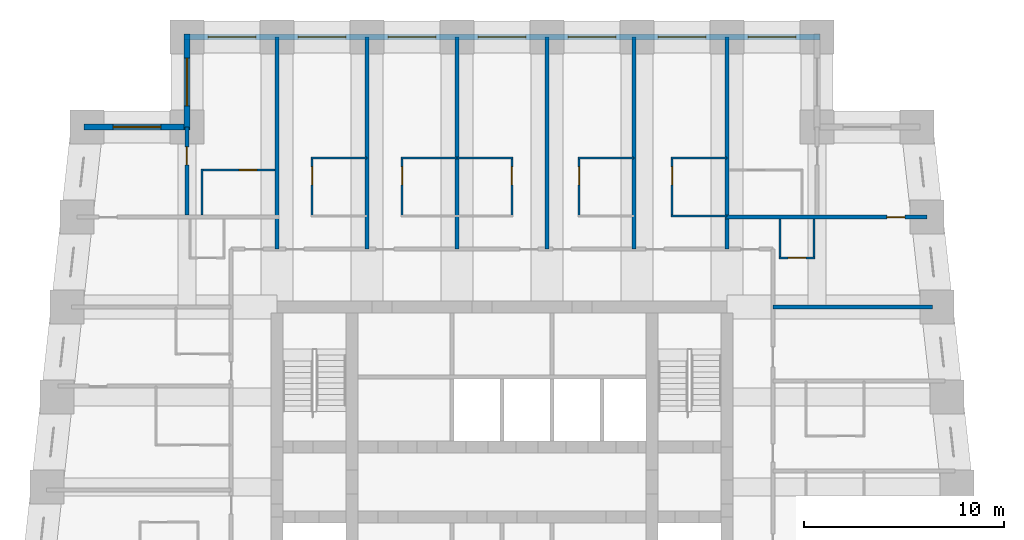
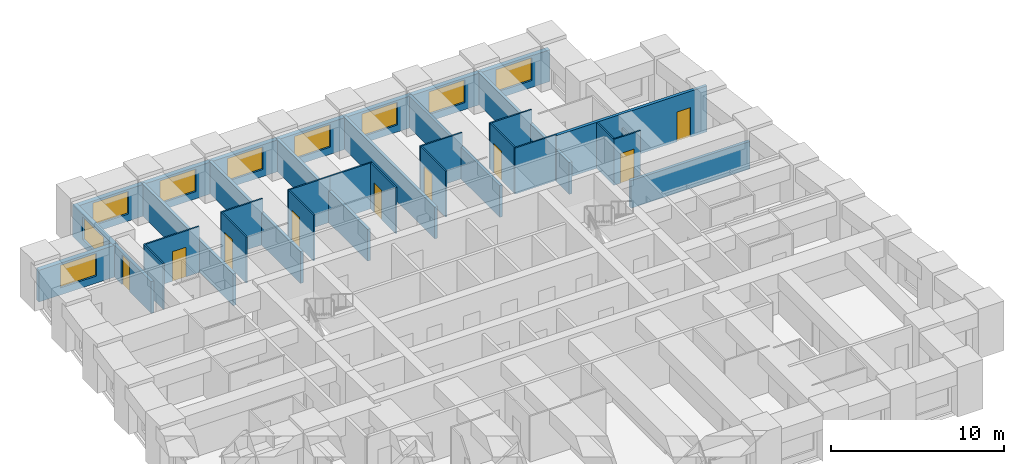
# One storey, part 6 of 8: 28 walls, 9 doors, 9 windows, 18 openings.
"""IFC4 building model written with IfcOpenShell, lengths in metres."""

from ifc_helpers import new_model, si_unit, direction, frame, frame_2d, origin, place, context, subcontext, project, spatial, rectangle, extrude, material, layer, layer_set, type_object, element, fill, save


model = new_model("IFC4")

# Units and contexts
model_context = context("Model", 3, precision=1e-05, world=origin(), true_north=direction((0.0, 1.0)))
body_context = subcontext(model_context, "Body", "Model", "MODEL_VIEW")
ifc_project = project(units=[si_unit("LENGTHUNIT", "METRE"), si_unit("AREAUNIT", "SQUARE_METRE"), si_unit("VOLUMEUNIT", "CUBIC_METRE"), si_unit("PLANEANGLEUNIT", "RADIAN"), si_unit("MASSUNIT", "GRAM", prefix="KILO")], contexts=[model_context])

# Site, building, storey
site_placement = place(None, origin())
site = spatial("IfcSite", under=ifc_project, at=site_placement, CompositionType="ELEMENT")
building_placement = place(site_placement, origin())
building = spatial("IfcBuilding", under=site, at=building_placement, Name="Kilele Tower Hotel", CompositionType="ELEMENT")
storey_placement = place(building_placement, frame((0.0, 0.0, 190.39990234375)))
storey = spatial("IfcBuildingStorey", under=building, at=storey_placement, Name="L49", CompositionType="ELEMENT", Elevation=190.39990234375)

# Wall
ifc_material_1 = material(Name="Moisture-resistant board")
ifc_layer_1 = layer(ifc_material_1, 0.10009765625)
ifc_layer_set_1 = layer_set([ifc_layer_1], Name="Moisture-resistant board")
wall_type_1 = type_object("IfcWallType", Name="Bathroom partition 100", PredefinedType="PLUMBINGWALL", material=ifc_layer_set_1)
wall_1_placement = place(storey_placement, frame((15.199951171875, 34.449951171875, 0.0), z_axis=(0.0, 0.0, 1.0), x_axis=(1.0, 0.0, 0.0)))
element("IfcWall", 1, at=wall_1_placement, inside=storey, type_object=wall_type_1, Name="Bathroom partition 100 L49", PredefinedType="PLUMBINGWALL", context=body_context, shape_type="SweptSolid", body=[
    extrude(rectangle(XDim=2.800048828125, YDim=0.10009765625, at=frame_2d((1.39990234375, 0.0))), origin(), (0.0, 0.0, 1.0), 3.25),
])

# Wall, opening, door
wall_2_placement = place(storey_placement, frame((15.25, 31.5, 0.0), z_axis=(0.0, 0.0, 1.0), x_axis=(0.0, 1.0, 0.0)))
wall_2 = element("IfcWall", 2, at=wall_2_placement, inside=storey, type_object=wall_type_1, Name="Bathroom partition 100 L49", PredefinedType="PLUMBINGWALL", context=body_context, shape_type="SweptSolid", body=[
    extrude(rectangle(XDim=3.0, YDim=0.10009765625, at=frame_2d((1.5, 0.0))), origin(), (0.0, 0.0, 1.0), 3.25),
])
opening_1_placement = place(wall_2_placement, frame((1.60009765625, 0.0, 0.0)))
opening_1 = element("IfcOpeningElement", 3, at=opening_1_placement, cuts=wall_2, Name="Opening D2A", PredefinedType="OPENING", context=body_context, shape_type="SweptSolid", body=[
    extrude(rectangle(XDim=0.89990234375, YDim=2.10009765625, at=frame_2d((0.449951171875, 1.050048828125))), frame((0.0, 0.06005859375, 0.0), z_axis=(0.0, -1.0, 0.0), x_axis=(1.0, 0.0, 0.0)), (0.0, 0.0, 1.0), 0.1201171875),
])
ifc_material_2 = material(Name="Timber door leaf in hardwood frame", Category="wood")
door_type_1 = type_object("IfcDoorType", Name="Bathroom door 900", OperationType="SINGLE_SWING_LEFT", PredefinedType="DOOR", material=ifc_material_2)
door_1_placement = place(opening_1_placement, origin())
door_1 = element("IfcDoor", 4, at=door_1_placement, inside=storey, type_object=door_type_1, Name="Bathroom door 4909B", OperationType="SINGLE_SWING_RIGHT", OverallHeight=2.10009765625, OverallWidth=0.89990234375, PredefinedType="DOOR", context=body_context, shape_type="SweptSolid", body=[
    extrude(rectangle(XDim=0.89990234375, YDim=2.10009765625, at=frame_2d((0.449951171875, 1.050048828125))), frame((0.0, 0.02490234375, 0.0), z_axis=(0.0, -1.0, 0.0), x_axis=(1.0, 0.0, 0.0)), (0.0, 0.0, 1.0), 0.050048828125),
])
fill(opening_1, door_1)

# Wall
wall_3_placement = place(storey_placement, frame((19.699951171875, 34.449951171875, 0.0), z_axis=(0.0, 0.0, 1.0), x_axis=(1.0, 0.0, 0.0)))
element("IfcWall", 5, at=wall_3_placement, inside=storey, type_object=wall_type_1, Name="Bathroom partition 100 L49", PredefinedType="PLUMBINGWALL", context=body_context, shape_type="SweptSolid", body=[
    extrude(rectangle(XDim=2.800048828125, YDim=0.10009765625, at=frame_2d((1.39990234375, 0.0))), origin(), (0.0, 0.0, 1.0), 3.25),
])

# Wall, opening, door
wall_4_placement = place(storey_placement, frame((19.75, 31.5, 0.0), z_axis=(0.0, 0.0, 1.0), x_axis=(0.0, 1.0, 0.0)))
wall_4 = element("IfcWall", 6, at=wall_4_placement, inside=storey, type_object=wall_type_1, Name="Bathroom partition 100 L49", PredefinedType="PLUMBINGWALL", context=body_context, shape_type="SweptSolid", body=[
    extrude(rectangle(XDim=3.0, YDim=0.10009765625, at=frame_2d((1.5, 0.0))), origin(), (0.0, 0.0, 1.0), 3.25),
])
opening_2_placement = place(wall_4_placement, frame((1.60009765625, 0.0, 0.0)))
opening_2 = element("IfcOpeningElement", 7, at=opening_2_placement, cuts=wall_4, Name="Opening D2A", PredefinedType="OPENING", context=body_context, shape_type="SweptSolid", body=[
    extrude(rectangle(XDim=0.89990234375, YDim=2.10009765625, at=frame_2d((0.449951171875, 1.050048828125))), frame((0.0, 0.06005859375, 0.0), z_axis=(0.0, -1.0, 0.0), x_axis=(1.0, 0.0, 0.0)), (0.0, 0.0, 1.0), 0.1201171875),
])
door_2_placement = place(opening_2_placement, origin())
door_2 = element("IfcDoor", 8, at=door_2_placement, inside=storey, type_object=door_type_1, Name="Bathroom door 4910B", OperationType="SINGLE_SWING_RIGHT", OverallHeight=2.10009765625, OverallWidth=0.89990234375, PredefinedType="DOOR", context=body_context, shape_type="SweptSolid", body=[
    extrude(rectangle(XDim=0.89990234375, YDim=2.10009765625, at=frame_2d((0.449951171875, 1.050048828125))), frame((0.0, 0.02490234375, 0.0), z_axis=(0.0, -1.0, 0.0), x_axis=(1.0, 0.0, 0.0)), (0.0, 0.0, 1.0), 0.050048828125),
])
fill(opening_2, door_2)

# Wall
wall_5_placement = place(storey_placement, frame((22.5, 34.449951171875, 0.0), z_axis=(0.0, 0.0, 1.0), x_axis=(1.0, 0.0, 0.0)))
element("IfcWall", 9, at=wall_5_placement, inside=storey, type_object=wall_type_1, Name="Bathroom partition 100 L49", PredefinedType="PLUMBINGWALL", context=body_context, shape_type="SweptSolid", body=[
    extrude(rectangle(XDim=2.800048828125, YDim=0.10009765625, at=frame_2d((1.39990234375, 0.0))), origin(), (0.0, 0.0, 1.0), 3.25),
])

# Wall, opening, door
wall_6_placement = place(storey_placement, frame((25.25, 31.5, 0.0), z_axis=(0.0, 0.0, 1.0), x_axis=(0.0, 1.0, 0.0)))
wall_6 = element("IfcWall", 10, at=wall_6_placement, inside=storey, type_object=wall_type_1, Name="Bathroom partition 100 L49", PredefinedType="PLUMBINGWALL", context=body_context, shape_type="SweptSolid", body=[
    extrude(rectangle(XDim=3.0, YDim=0.10009765625, at=frame_2d((1.5, 0.0))), origin(), (0.0, 0.0, 1.0), 3.25),
])
opening_3_placement = place(wall_6_placement, frame((2.5, 0.0, 0.0), z_axis=(0.0, 0.0, 1.0), x_axis=(-1.0, 0.0, 0.0)))
opening_3 = element("IfcOpeningElement", 11, at=opening_3_placement, cuts=wall_6, Name="Opening D2A", PredefinedType="OPENING", context=body_context, shape_type="SweptSolid", body=[
    extrude(rectangle(XDim=0.89990234375, YDim=2.10009765625, at=frame_2d((0.449951171875, 1.050048828125))), frame((0.0, 0.06005859375, 0.0), z_axis=(0.0, -1.0, 0.0), x_axis=(1.0, 0.0, 0.0)), (0.0, 0.0, 1.0), 0.1201171875),
])
door_3_placement = place(opening_3_placement, origin())
door_3 = element("IfcDoor", 12, at=door_3_placement, inside=storey, type_object=door_type_1, Name="Bathroom door 4911B", OperationType="SINGLE_SWING_LEFT", OverallHeight=2.10009765625, OverallWidth=0.89990234375, PredefinedType="DOOR", context=body_context, shape_type="SweptSolid", body=[
    extrude(rectangle(XDim=0.89990234375, YDim=2.10009765625, at=frame_2d((0.449951171875, 1.050048828125))), frame((0.0, 0.02490234375, 0.0), z_axis=(0.0, -1.0, 0.0), x_axis=(1.0, 0.0, 0.0)), (0.0, 0.0, 1.0), 0.050048828125),
])
fill(opening_3, door_3)

# Wall
wall_7_placement = place(storey_placement, frame((28.550048828125, 34.449951171875, 0.0), z_axis=(0.0, 0.0, 1.0), x_axis=(1.0, 0.0, 0.0)))
element("IfcWall", 13, at=wall_7_placement, inside=storey, type_object=wall_type_1, Name="Bathroom partition 100 L49", PredefinedType="PLUMBINGWALL", context=body_context, shape_type="SweptSolid", body=[
    extrude(rectangle(XDim=2.800048828125, YDim=0.10009765625, at=frame_2d((1.39990234375, 0.0))), origin(), (0.0, 0.0, 1.0), 3.25),
])

# Wall, opening, door
wall_8_placement = place(storey_placement, frame((28.60009765625, 31.5, 0.0), z_axis=(0.0, 0.0, 1.0), x_axis=(0.0, 1.0, 0.0)))
wall_8 = element("IfcWall", 14, at=wall_8_placement, inside=storey, type_object=wall_type_1, Name="Bathroom partition 100 L49", PredefinedType="PLUMBINGWALL", context=body_context, shape_type="SweptSolid", body=[
    extrude(rectangle(XDim=3.0, YDim=0.10009765625, at=frame_2d((1.5, 0.0))), origin(), (0.0, 0.0, 1.0), 3.25),
])
opening_4_placement = place(wall_8_placement, frame((1.60009765625, 0.0, 0.0)))
opening_4 = element("IfcOpeningElement", 15, at=opening_4_placement, cuts=wall_8, Name="Opening D2A", PredefinedType="OPENING", context=body_context, shape_type="SweptSolid", body=[
    extrude(rectangle(XDim=0.89990234375, YDim=2.10009765625, at=frame_2d((0.449951171875, 1.050048828125))), frame((0.0, 0.06005859375, 0.0), z_axis=(0.0, -1.0, 0.0), x_axis=(1.0, 0.0, 0.0)), (0.0, 0.0, 1.0), 0.1201171875),
])
door_4_placement = place(opening_4_placement, origin())
door_4 = element("IfcDoor", 16, at=door_4_placement, inside=storey, type_object=door_type_1, Name="Bathroom door 4912B", OperationType="SINGLE_SWING_RIGHT", OverallHeight=2.10009765625, OverallWidth=0.89990234375, PredefinedType="DOOR", context=body_context, shape_type="SweptSolid", body=[
    extrude(rectangle(XDim=0.89990234375, YDim=2.10009765625, at=frame_2d((0.449951171875, 1.050048828125))), frame((0.0, 0.02490234375, 0.0), z_axis=(0.0, -1.0, 0.0), x_axis=(1.0, 0.0, 0.0)), (0.0, 0.0, 1.0), 0.050048828125),
])
fill(opening_4, door_4)

# Walls
for number, where, z_axis, x_axis, name in (
    (17, (33.199951171875, 31.550048828125, 0.0), (0.0, 0.0, 1.0), (1.0, 0.0, 0.0), "Bathroom partition 100 L49"),
    (18, (33.199951171875, 34.449951171875, 0.0), (0.0, 0.0, 1.0), (1.0, 0.0, 0.0), "Bathroom partition 100 L49"),
):
    element("IfcWall", number, at=place(storey_placement, frame(where, z_axis=z_axis, x_axis=x_axis)), inside=storey, type_object=wall_type_1, Name=name, PredefinedType="PLUMBINGWALL", context=body_context, shape_type="SweptSolid", body=[
        extrude(rectangle(XDim=2.800048828125, YDim=0.10009765625, at=frame_2d((1.39990234375, 0.0))), origin(), (0.0, 0.0, 1.0), 3.25),
    ])

# Wall, opening, door
wall_9_placement = place(storey_placement, frame((33.25, 31.5, 0.0), z_axis=(0.0, 0.0, 1.0), x_axis=(0.0, 1.0, 0.0)))
wall_9 = element("IfcWall", 19, at=wall_9_placement, inside=storey, type_object=wall_type_1, Name="Bathroom partition 100 L49", PredefinedType="PLUMBINGWALL", context=body_context, shape_type="SweptSolid", body=[
    extrude(rectangle(XDim=3.0, YDim=0.10009765625, at=frame_2d((1.5, 0.0))), origin(), (0.0, 0.0, 1.0), 3.25),
])
opening_5_placement = place(wall_9_placement, frame((1.60009765625, 0.0, 0.0)))
opening_5 = element("IfcOpeningElement", 20, at=opening_5_placement, cuts=wall_9, Name="Opening D2A", PredefinedType="OPENING", context=body_context, shape_type="SweptSolid", body=[
    extrude(rectangle(XDim=0.89990234375, YDim=2.10009765625, at=frame_2d((0.449951171875, 1.050048828125))), frame((0.0, 0.06005859375, 0.0), z_axis=(0.0, -1.0, 0.0), x_axis=(1.0, 0.0, 0.0)), (0.0, 0.0, 1.0), 0.1201171875),
])
door_5_placement = place(opening_5_placement, origin())
door_5 = element("IfcDoor", 21, at=door_5_placement, inside=storey, type_object=door_type_1, Name="Bathroom door 4913B", OperationType="SINGLE_SWING_RIGHT", OverallHeight=2.10009765625, OverallWidth=0.89990234375, PredefinedType="DOOR", context=body_context, shape_type="SweptSolid", body=[
    extrude(rectangle(XDim=0.89990234375, YDim=2.10009765625, at=frame_2d((0.449951171875, 1.050048828125))), frame((0.0, 0.02490234375, 0.0), z_axis=(0.0, -1.0, 0.0), x_axis=(1.0, 0.0, 0.0)), (0.0, 0.0, 1.0), 0.050048828125),
])
fill(opening_5, door_5)

# Walls
wall_10_placement = place(storey_placement, frame((40.35009765625, 31.39990234375, 0.0), z_axis=(0.0, 0.0, 1.0), x_axis=(0.0, -1.0, 0.0)))
element("IfcWall", 22, at=wall_10_placement, inside=storey, type_object=wall_type_1, Name="Bathroom partition 100 L49", PredefinedType="PLUMBINGWALL", context=body_context, shape_type="SweptSolid", body=[
    extrude(rectangle(XDim=2.0, YDim=0.10009765625, at=frame_2d((1.0, 0.0))), origin(), (0.0, 0.0, 1.0), 2.25),
])
wall_11_placement = place(storey_placement, frame((38.64990234375, 31.39990234375, 0.0), z_axis=(0.0, 0.0, 1.0), x_axis=(0.0, -1.0, 0.0)))
element("IfcWall", 23, at=wall_11_placement, inside=storey, type_object=wall_type_1, Name="Bathroom partition 100 L49", PredefinedType="PLUMBINGWALL", context=body_context, shape_type="SweptSolid", body=[
    extrude(rectangle(XDim=2.0, YDim=0.10009765625, at=frame_2d((1.0, 0.0))), origin(), (0.0, 0.0, 1.0), 3.25),
])

# Wall, opening, door
wall_12_placement = place(storey_placement, frame((38.60009765625, 29.449951171875, 0.0), z_axis=(0.0, 0.0, 1.0), x_axis=(1.0, 0.0, 0.0)))
wall_12 = element("IfcWall", 24, at=wall_12_placement, inside=storey, type_object=wall_type_1, Name="Bathroom partition 100 L49", PredefinedType="PLUMBINGWALL", context=body_context, shape_type="SweptSolid", body=[
    extrude(rectangle(XDim=1.7998046875, YDim=0.10009765625, at=frame_2d((0.89990234375, 0.0))), origin(), (0.0, 0.0, 1.0), 3.25),
])
opening_6_placement = place(wall_12_placement, frame((1.349853515625, 0.0, 0.0), z_axis=(0.0, 0.0, 1.0), x_axis=(-1.0, 0.0, 0.0)))
opening_6 = element("IfcOpeningElement", 25, at=opening_6_placement, cuts=wall_12, Name="Opening D2A", PredefinedType="OPENING", context=body_context, shape_type="SweptSolid", body=[
    extrude(rectangle(XDim=0.89990234375, YDim=2.10009765625, at=frame_2d((0.449951171875, 1.050048828125))), frame((0.0, 0.06005859375, 0.0), z_axis=(0.0, -1.0, 0.0), x_axis=(1.0, 0.0, 0.0)), (0.0, 0.0, 1.0), 0.1201171875),
])
door_6_placement = place(opening_6_placement, origin())
door_6 = element("IfcDoor", 26, at=door_6_placement, inside=storey, type_object=door_type_1, Name="Bathroom door 4922P", OperationType="SINGLE_SWING_RIGHT", OverallHeight=2.10009765625, OverallWidth=0.89990234375, PredefinedType="DOOR", context=body_context, shape_type="SweptSolid", body=[
    extrude(rectangle(XDim=0.89990234375, YDim=2.10009765625, at=frame_2d((0.449951171875, 1.050048828125))), frame((0.0, 0.02490234375, 0.0), z_axis=(0.0, -1.0, 0.0), x_axis=(1.0, 0.0, 0.0)), (0.0, 0.0, 1.0), 0.050048828125),
])
fill(opening_6, door_6)

# Wall
wall_13_placement = place(storey_placement, frame((9.75, 31.60009765625, 0.0), z_axis=(0.0, 0.0, 1.0), x_axis=(0.0, 1.0, 0.0)))
element("IfcWall", 27, at=wall_13_placement, inside=storey, type_object=wall_type_1, Name="Bathroom partition 100 L49", PredefinedType="PLUMBINGWALL", context=body_context, shape_type="SweptSolid", body=[
    extrude(rectangle(XDim=2.2998046875, YDim=0.10009765625, at=frame_2d((1.14990234375, 0.0))), origin(), (0.0, 0.0, 1.0), 3.25),
])

# Wall, opening, door
wall_14_placement = place(storey_placement, frame((13.39990234375, 33.85009765625, 0.0), z_axis=(0.0, 0.0, 1.0), x_axis=(-1.0, 0.0, 0.0)))
wall_14 = element("IfcWall", 28, at=wall_14_placement, inside=storey, type_object=wall_type_1, Name="Bathroom partition 100 L49", PredefinedType="PLUMBINGWALL", context=body_context, shape_type="SweptSolid", body=[
    extrude(rectangle(XDim=3.699951171875, YDim=0.10009765625, at=frame_2d((1.85009765625, 0.0))), origin(), (0.0, 0.0, 1.0), 3.25),
])
opening_7_placement = place(wall_14_placement, frame((1.7998046875, 0.0, 0.0), z_axis=(0.0, 0.0, 1.0), x_axis=(-1.0, 0.0, 0.0)))
opening_7 = element("IfcOpeningElement", 29, at=opening_7_placement, cuts=wall_14, Name="Opening D2A", PredefinedType="OPENING", context=body_context, shape_type="SweptSolid", body=[
    extrude(rectangle(XDim=0.89990234375, YDim=2.10009765625, at=frame_2d((0.449951171875, 1.050048828125))), frame((0.0, 0.06005859375, 0.0), z_axis=(0.0, -1.0, 0.0), x_axis=(1.0, 0.0, 0.0)), (0.0, 0.0, 1.0), 0.1201171875),
])
door_7_placement = place(opening_7_placement, origin())
door_7 = element("IfcDoor", 30, at=door_7_placement, inside=storey, type_object=door_type_1, Name="Bathroom door 4926B", OperationType="SINGLE_SWING_RIGHT", OverallHeight=2.10009765625, OverallWidth=0.89990234375, PredefinedType="DOOR", context=body_context, shape_type="SweptSolid", body=[
    extrude(rectangle(XDim=0.89990234375, YDim=2.10009765625, at=frame_2d((0.449951171875, 1.050048828125))), frame((0.0, 0.02490234375, 0.0), z_axis=(0.0, -1.0, 0.0), x_axis=(1.0, 0.0, 0.0)), (0.0, 0.0, 1.0), 0.050048828125),
])
fill(opening_7, door_7)

ifc_material_3 = material(Name="Blockwork, plastered both sides", Category="masonry")
ifc_layer_2 = layer(ifc_material_3, 0.199951171875)
ifc_layer_set_2 = layer_set([ifc_layer_2], Name="Blockwork, plastered both sides")
wall_type_2 = type_object("IfcWallType", Name="Partition wall 200", PredefinedType="PARTITIONING", material=ifc_layer_set_2)
wall_15_placement = place(storey_placement, frame((9.0, 31.60009765625, 0.0), z_axis=(0.0, 0.0, 1.0), x_axis=(0.0, 1.0, 0.0)))
wall_15 = element("IfcWall", 31, at=wall_15_placement, inside=storey, type_object=wall_type_2, Name="Partition wall 200 L49", PredefinedType="PARTITIONING", context=body_context, shape_type="SweptSolid", body=[
    extrude(rectangle(XDim=4.39990234375, YDim=0.199951171875, at=frame_2d((2.199951171875, 0.0))), origin(), (0.0, 0.0, 1.0), 2.25),
])
opening_8_placement = place(wall_15_placement, frame((3.39990234375, 0.0, 0.0), z_axis=(0.0, 0.0, 1.0), x_axis=(-1.0, 0.0, 0.0)))
opening_8 = element("IfcOpeningElement", 32, at=opening_8_placement, cuts=wall_15, Name="Opening D3", PredefinedType="OPENING", context=body_context, shape_type="SweptSolid", body=[
    extrude(rectangle(XDim=0.89990234375, YDim=2.10009765625, at=frame_2d((0.449951171875, 1.050048828125))), frame((0.0, 0.10986328125, 0.0), z_axis=(0.0, -1.0, 0.0), x_axis=(1.0, 0.0, 0.0)), (0.0, 0.0, 1.0), 0.219970703125),
])
ifc_material_4 = material(Name="Timber door leaf in hardwood frame", Category="wood")
door_type_2 = type_object("IfcDoorType", Name="Suite internal door 900", OperationType="SINGLE_SWING_LEFT", PredefinedType="DOOR", material=ifc_material_4)
door_8_placement = place(opening_8_placement, origin())
door_8 = element("IfcDoor", 33, at=door_8_placement, inside=storey, type_object=door_type_2, Name="Suite door 4927", OperationType="SINGLE_SWING_RIGHT", OverallHeight=2.10009765625, OverallWidth=0.89990234375, PredefinedType="DOOR", context=body_context, shape_type="SweptSolid", body=[
    extrude(rectangle(XDim=0.89990234375, YDim=2.10009765625, at=frame_2d((0.449951171875, 1.050048828125))), frame((0.0, 0.02490234375, 0.0), z_axis=(0.0, -1.0, 0.0), x_axis=(1.0, 0.0, 0.0)), (0.0, 0.0, 1.0), 0.050048828125),
])
fill(opening_8, door_8)

# Walls
ifc_material_5 = material(Name="Blockwork, plastered both sides", Category="masonry")
ifc_layer_3 = layer(ifc_material_5, 0.199951171875)
ifc_layer_set_3 = layer_set([ifc_layer_3], Name="Blockwork, plastered both sides")
wall_type_3 = type_object("IfcWallType", Name="Party wall 200", PredefinedType="PARTITIONING", material=ifc_layer_set_3)
for number, where, z_axis, x_axis, name in (
    (34, (18.0, 29.89990234375, 0.0), (0.0, 0.0, 1.0), (0.0, 1.0, 0.0), "Party wall 200 L49"),
    (35, (22.5, 29.89990234375, 0.0), (0.0, 0.0, 1.0), (0.0, 1.0, 0.0), "Party wall 200 L49"),
    (36, (27.0, 29.89990234375, 0.0), (0.0, 0.0, 1.0), (0.0, 1.0, 0.0), "Party wall 200 L49"),
    (37, (31.35009765625, 29.89990234375, 0.0), (0.0, 0.0, 1.0), (0.0, 1.0, 0.0), "Party wall 200 L49"),
):
    element("IfcWall", number, at=place(storey_placement, frame(where, z_axis=z_axis, x_axis=x_axis)), inside=storey, type_object=wall_type_3, Name=name, PredefinedType="PARTITIONING", context=body_context, shape_type="SweptSolid", body=[
        extrude(rectangle(XDim=10.60009765625, YDim=0.199951171875, at=frame_2d((5.300048828125, 0.0))), origin(), (0.0, 0.0, 1.0), 2.25),
    ])
wall_16_placement = place(storey_placement, frame((38.300048828125, 27.0, 0.0), z_axis=(0.0, 0.0, 1.0), x_axis=(1.0, 0.0, 0.0)))
element("IfcWall", 38, at=wall_16_placement, inside=storey, type_object=wall_type_3, Name="Party wall 200 L49", PredefinedType="PARTITIONING", context=body_context, shape_type="SweptSolid", body=[
    extrude(rectangle(XDim=7.976806640625, YDim=0.199951171875, at=frame_2d((3.98828125, 0.0))), origin(), (0.0, 0.0, 1.0), 1.9501953125),
])
wall_17_placement = place(storey_placement, frame((36.0, 29.89990234375, 0.0), z_axis=(0.0, 0.0, 1.0), x_axis=(0.0, 1.0, 0.0)))
element("IfcWall", 39, at=wall_17_placement, inside=storey, type_object=wall_type_3, Name="Party wall 200 L49", PredefinedType="PARTITIONING", context=body_context, shape_type="SweptSolid", body=[
    extrude(rectangle(XDim=10.60009765625, YDim=0.199951171875, at=frame_2d((5.300048828125, 0.0))), origin(), (0.0, 0.0, 1.0), 2.25),
])

# Wall, opening, door
wall_18_placement = place(storey_placement, frame((35.89990234375, 31.5, 0.0), z_axis=(0.0, 0.0, 1.0), x_axis=(1.0, 0.0, 0.0)))
wall_18 = element("IfcWall", 40, at=wall_18_placement, inside=storey, type_object=wall_type_3, Name="Party wall 200 L49", PredefinedType="PARTITIONING", context=body_context, shape_type="SweptSolid", body=[
    extrude(rectangle(XDim=10.09912109375, YDim=0.199951171875, at=frame_2d((5.049560546875, 0.0))), origin(), (0.0, 0.0, 1.0), 3.25),
])
opening_9_placement = place(wall_18_placement, frame((8.09912109375, 0.0, 0.0)))
opening_9 = element("IfcOpeningElement", 41, at=opening_9_placement, cuts=wall_18, Name="Opening D3", PredefinedType="OPENING", context=body_context, shape_type="SweptSolid", body=[
    extrude(rectangle(XDim=0.89990234375, YDim=2.10009765625, at=frame_2d((0.449951171875, 1.050048828125))), frame((0.0, 0.10986328125, 0.0), z_axis=(0.0, -1.0, 0.0), x_axis=(1.0, 0.0, 0.0)), (0.0, 0.0, 1.0), 0.219970703125),
])
door_9_placement = place(opening_9_placement, origin())
door_9 = element("IfcDoor", 42, at=door_9_placement, inside=storey, type_object=door_type_2, Name="Suite door 4923", OperationType="SINGLE_SWING_RIGHT", OverallHeight=2.10009765625, OverallWidth=0.89990234375, PredefinedType="DOOR", context=body_context, shape_type="SweptSolid", body=[
    extrude(rectangle(XDim=0.89990234375, YDim=2.10009765625, at=frame_2d((0.449951171875, 1.050048828125))), frame((0.0, 0.02490234375, 0.0), z_axis=(0.0, -1.0, 0.0), x_axis=(1.0, 0.0, 0.0)), (0.0, 0.0, 1.0), 0.050048828125),
])
fill(opening_9, door_9)

# Wall
wall_19_placement = place(storey_placement, frame((13.5, 29.89990234375, 0.0), z_axis=(0.0, 0.0, 1.0), x_axis=(0.0, 1.0, 0.0)))
element("IfcWall", 43, at=wall_19_placement, inside=storey, type_object=wall_type_3, Name="Party wall 200 L49", PredefinedType="PARTITIONING", context=body_context, shape_type="SweptSolid", body=[
    extrude(rectangle(XDim=10.60009765625, YDim=0.199951171875, at=frame_2d((5.300048828125, 0.0))), origin(), (0.0, 0.0, 1.0), 2.25),
])

# Wall, openings, windows
ifc_material_6 = material(Name="Concrete C40/50 precast", Category="concrete")
ifc_layer_4 = layer(ifc_material_6, 0.260009765625, Name="Precast backing", Category="LoadBearing")
ifc_material_7 = material(Name="Reconstituted stone finish", Category="masonry")
ifc_layer_5 = layer(ifc_material_7, 0.0400390625, Name="Face mix", Category="Finish")
ifc_layer_set_4 = layer_set([ifc_layer_4, ifc_layer_5], Name="Precast concrete C40/50, reconstituted stone finish")
wall_type_4 = type_object("IfcWallType", Name="Precast stone facade wall 300", PredefinedType="STANDARD", material=ifc_layer_set_4)
wall_20_placement = place(storey_placement, frame((40.64990234375, 40.5, 0.0), z_axis=(0.0, 0.0, 1.0), x_axis=(-1.0, 0.0, 0.0)))
wall_20 = element("IfcWall", 44, at=wall_20_placement, inside=storey, type_object=wall_type_4, Name="Facade wall L49 edge 9", PredefinedType="STANDARD", context=body_context, shape_type="SweptSolid", body=[
    extrude(rectangle(XDim=31.7998046875, YDim=0.300048828125, at=frame_2d((15.89990234375, 0.0))), origin(), (0.0, 0.0, 1.0), 2.25),
])
opening_10_placement = place(wall_20_placement, frame((1.199951171875, 0.0, 0.5)))
opening_10 = element("IfcOpeningElement", 45, at=opening_10_placement, cuts=wall_20, Name="Opening W3", PredefinedType="OPENING", context=body_context, shape_type="SweptSolid", body=[
    extrude(rectangle(XDim=2.39990234375, YDim=1.60009765625, at=frame_2d((1.199951171875, 0.800048828125))), frame((0.0, 0.159912109375, 0.0), z_axis=(0.0, -1.0, 0.0), x_axis=(1.0, 0.0, 0.0)), (0.0, 0.0, 1.0), 0.320068359375),
])
opening_11_placement = place(wall_20_placement, frame((5.699951171875, 0.0, 0.5)))
opening_11 = element("IfcOpeningElement", 46, at=opening_11_placement, cuts=wall_20, Name="Opening W3", PredefinedType="OPENING", context=body_context, shape_type="SweptSolid", body=[
    extrude(rectangle(XDim=2.39990234375, YDim=1.60009765625, at=frame_2d((1.199951171875, 0.800048828125))), frame((0.0, 0.159912109375, 0.0), z_axis=(0.0, -1.0, 0.0), x_axis=(1.0, 0.0, 0.0)), (0.0, 0.0, 1.0), 0.320068359375),
])
opening_12_placement = place(wall_20_placement, frame((10.199951171875, 0.0, 0.5)))
opening_12 = element("IfcOpeningElement", 47, at=opening_12_placement, cuts=wall_20, Name="Opening W3", PredefinedType="OPENING", context=body_context, shape_type="SweptSolid", body=[
    extrude(rectangle(XDim=2.39990234375, YDim=1.60009765625, at=frame_2d((1.199951171875, 0.800048828125))), frame((0.0, 0.159912109375, 0.0), z_axis=(0.0, -1.0, 0.0), x_axis=(1.0, 0.0, 0.0)), (0.0, 0.0, 1.0), 0.320068359375),
])
opening_13_placement = place(wall_20_placement, frame((14.699951171875, 0.0, 0.5)))
opening_13 = element("IfcOpeningElement", 48, at=opening_13_placement, cuts=wall_20, Name="Opening W3", PredefinedType="OPENING", context=body_context, shape_type="SweptSolid", body=[
    extrude(rectangle(XDim=2.39990234375, YDim=1.60009765625, at=frame_2d((1.199951171875, 0.800048828125))), frame((0.0, 0.159912109375, 0.0), z_axis=(0.0, -1.0, 0.0), x_axis=(1.0, 0.0, 0.0)), (0.0, 0.0, 1.0), 0.320068359375),
])
opening_14_placement = place(wall_20_placement, frame((19.199951171875, 0.0, 0.5)))
opening_14 = element("IfcOpeningElement", 49, at=opening_14_placement, cuts=wall_20, Name="Opening W3", PredefinedType="OPENING", context=body_context, shape_type="SweptSolid", body=[
    extrude(rectangle(XDim=2.39990234375, YDim=1.60009765625, at=frame_2d((1.199951171875, 0.800048828125))), frame((0.0, 0.159912109375, 0.0), z_axis=(0.0, -1.0, 0.0), x_axis=(1.0, 0.0, 0.0)), (0.0, 0.0, 1.0), 0.320068359375),
])
opening_15_placement = place(wall_20_placement, frame((23.699951171875, 0.0, 0.5)))
opening_15 = element("IfcOpeningElement", 50, at=opening_15_placement, cuts=wall_20, Name="Opening W3", PredefinedType="OPENING", context=body_context, shape_type="SweptSolid", body=[
    extrude(rectangle(XDim=2.39990234375, YDim=1.60009765625, at=frame_2d((1.199951171875, 0.800048828125))), frame((0.0, 0.159912109375, 0.0), z_axis=(0.0, -1.0, 0.0), x_axis=(1.0, 0.0, 0.0)), (0.0, 0.0, 1.0), 0.320068359375),
])
opening_16_placement = place(wall_20_placement, frame((28.199951171875, 0.0, 0.5)))
opening_16 = element("IfcOpeningElement", 51, at=opening_16_placement, cuts=wall_20, Name="Opening W3", PredefinedType="OPENING", context=body_context, shape_type="SweptSolid", body=[
    extrude(rectangle(XDim=2.39990234375, YDim=1.60009765625, at=frame_2d((1.199951171875, 0.800048828125))), frame((0.0, 0.159912109375, 0.0), z_axis=(0.0, -1.0, 0.0), x_axis=(1.0, 0.0, 0.0)), (0.0, 0.0, 1.0), 0.320068359375),
])
ifc_material_8 = material(Name="Aluminium frame, clear double glazing", Category="aluminium")
window_type = type_object("IfcWindowType", Name="Window W3 2400 x 1600", PartitioningType="SINGLE_PANEL", PredefinedType="WINDOW", material=ifc_material_8)
window_1_placement = place(opening_10_placement, origin())
window_1 = element("IfcWindow", 52, at=window_1_placement, inside=storey, type_object=window_type, Name="Window L49", OverallHeight=1.60009765625, OverallWidth=2.39990234375, PartitioningType="SINGLE_PANEL", PredefinedType="WINDOW", context=body_context, shape_type="SweptSolid", body=[
    extrude(rectangle(XDim=2.39990234375, YDim=1.60009765625, at=frame_2d((1.199951171875, 0.800048828125))), frame((0.0, 0.030029296875, 0.0), z_axis=(0.0, -1.0, 0.0), x_axis=(1.0, 0.0, 0.0)), (0.0, 0.0, 1.0), 0.06005859375),
])
fill(opening_10, window_1)
window_2_placement = place(opening_11_placement, origin())
window_2 = element("IfcWindow", 53, at=window_2_placement, inside=storey, type_object=window_type, Name="Window L49", OverallHeight=1.60009765625, OverallWidth=2.39990234375, PartitioningType="SINGLE_PANEL", PredefinedType="WINDOW", context=body_context, shape_type="SweptSolid", body=[
    extrude(rectangle(XDim=2.39990234375, YDim=1.60009765625, at=frame_2d((1.199951171875, 0.800048828125))), frame((0.0, 0.030029296875, 0.0), z_axis=(0.0, -1.0, 0.0), x_axis=(1.0, 0.0, 0.0)), (0.0, 0.0, 1.0), 0.06005859375),
])
fill(opening_11, window_2)
window_3_placement = place(opening_12_placement, origin())
window_3 = element("IfcWindow", 54, at=window_3_placement, inside=storey, type_object=window_type, Name="Window L49", OverallHeight=1.60009765625, OverallWidth=2.39990234375, PartitioningType="SINGLE_PANEL", PredefinedType="WINDOW", context=body_context, shape_type="SweptSolid", body=[
    extrude(rectangle(XDim=2.39990234375, YDim=1.60009765625, at=frame_2d((1.199951171875, 0.800048828125))), frame((0.0, 0.030029296875, 0.0), z_axis=(0.0, -1.0, 0.0), x_axis=(1.0, 0.0, 0.0)), (0.0, 0.0, 1.0), 0.06005859375),
])
fill(opening_12, window_3)
window_4_placement = place(opening_13_placement, origin())
window_4 = element("IfcWindow", 55, at=window_4_placement, inside=storey, type_object=window_type, Name="Window L49", OverallHeight=1.60009765625, OverallWidth=2.39990234375, PartitioningType="SINGLE_PANEL", PredefinedType="WINDOW", context=body_context, shape_type="SweptSolid", body=[
    extrude(rectangle(XDim=2.39990234375, YDim=1.60009765625, at=frame_2d((1.199951171875, 0.800048828125))), frame((0.0, 0.030029296875, 0.0), z_axis=(0.0, -1.0, 0.0), x_axis=(1.0, 0.0, 0.0)), (0.0, 0.0, 1.0), 0.06005859375),
])
fill(opening_13, window_4)
window_5_placement = place(opening_14_placement, origin())
window_5 = element("IfcWindow", 56, at=window_5_placement, inside=storey, type_object=window_type, Name="Window L49", OverallHeight=1.60009765625, OverallWidth=2.39990234375, PartitioningType="SINGLE_PANEL", PredefinedType="WINDOW", context=body_context, shape_type="SweptSolid", body=[
    extrude(rectangle(XDim=2.39990234375, YDim=1.60009765625, at=frame_2d((1.199951171875, 0.800048828125))), frame((0.0, 0.030029296875, 0.0), z_axis=(0.0, -1.0, 0.0), x_axis=(1.0, 0.0, 0.0)), (0.0, 0.0, 1.0), 0.06005859375),
])
fill(opening_14, window_5)
window_6_placement = place(opening_15_placement, origin())
window_6 = element("IfcWindow", 57, at=window_6_placement, inside=storey, type_object=window_type, Name="Window L49", OverallHeight=1.60009765625, OverallWidth=2.39990234375, PartitioningType="SINGLE_PANEL", PredefinedType="WINDOW", context=body_context, shape_type="SweptSolid", body=[
    extrude(rectangle(XDim=2.39990234375, YDim=1.60009765625, at=frame_2d((1.199951171875, 0.800048828125))), frame((0.0, 0.030029296875, 0.0), z_axis=(0.0, -1.0, 0.0), x_axis=(1.0, 0.0, 0.0)), (0.0, 0.0, 1.0), 0.06005859375),
])
fill(opening_15, window_6)
window_7_placement = place(opening_16_placement, origin())
window_7 = element("IfcWindow", 58, at=window_7_placement, inside=storey, type_object=window_type, Name="Window L49", OverallHeight=1.60009765625, OverallWidth=2.39990234375, PartitioningType="SINGLE_PANEL", PredefinedType="WINDOW", context=body_context, shape_type="SweptSolid", body=[
    extrude(rectangle(XDim=2.39990234375, YDim=1.60009765625, at=frame_2d((1.199951171875, 0.800048828125))), frame((0.0, 0.030029296875, 0.0), z_axis=(0.0, -1.0, 0.0), x_axis=(1.0, 0.0, 0.0)), (0.0, 0.0, 1.0), 0.06005859375),
])
fill(opening_16, window_7)

# Wall, opening, window
wall_21_placement = place(storey_placement, frame((9.0, 40.64990234375, 0.0), z_axis=(0.0, 0.0, 1.0), x_axis=(0.0, -1.0, 0.0)))
wall_21 = element("IfcWall", 59, at=wall_21_placement, inside=storey, type_object=wall_type_4, Name="Facade wall L49 edge 10", PredefinedType="STANDARD", context=body_context, shape_type="SweptSolid", body=[
    extrude(rectangle(XDim=4.7998046875, YDim=0.300048828125, at=frame_2d((2.39990234375, 0.0))), origin(), (0.0, 0.0, 1.0), 2.25),
])
opening_17_placement = place(wall_21_placement, frame((1.199951171875, 0.0, 0.5)))
opening_17 = element("IfcOpeningElement", 60, at=opening_17_placement, cuts=wall_21, Name="Opening W3", PredefinedType="OPENING", context=body_context, shape_type="SweptSolid", body=[
    extrude(rectangle(XDim=2.39990234375, YDim=1.60009765625, at=frame_2d((1.199951171875, 0.800048828125))), frame((0.0, 0.159912109375, 0.0), z_axis=(0.0, -1.0, 0.0), x_axis=(1.0, 0.0, 0.0)), (0.0, 0.0, 1.0), 0.320068359375),
])
window_8_placement = place(opening_17_placement, origin())
window_8 = element("IfcWindow", 61, at=window_8_placement, inside=storey, type_object=window_type, Name="Window L49", OverallHeight=1.60009765625, OverallWidth=2.39990234375, PartitioningType="SINGLE_PANEL", PredefinedType="WINDOW", context=body_context, shape_type="SweptSolid", body=[
    extrude(rectangle(XDim=2.39990234375, YDim=1.60009765625, at=frame_2d((1.199951171875, 0.800048828125))), frame((0.0, 0.030029296875, 0.0), z_axis=(0.0, -1.0, 0.0), x_axis=(1.0, 0.0, 0.0)), (0.0, 0.0, 1.0), 0.06005859375),
])
fill(opening_17, window_8)

wall_22_placement = place(storey_placement, frame((9.14990234375, 36.0, 0.0), z_axis=(0.0, 0.0, 1.0), x_axis=(-1.0, 0.0, 0.0)))
wall_22 = element("IfcWall", 62, at=wall_22_placement, inside=storey, type_object=wall_type_4, Name="Facade wall L49 edge 11", PredefinedType="STANDARD", context=body_context, shape_type="SweptSolid", body=[
    extrude(rectangle(XDim=5.2998046875, YDim=0.300048828125, at=frame_2d((2.64990234375, 0.0))), origin(), (0.0, 0.0, 1.0), 2.25),
])
opening_18_placement = place(wall_22_placement, frame((1.449951171875, 0.0, 0.5)))
opening_18 = element("IfcOpeningElement", 63, at=opening_18_placement, cuts=wall_22, Name="Opening W3", PredefinedType="OPENING", context=body_context, shape_type="SweptSolid", body=[
    extrude(rectangle(XDim=2.39990234375, YDim=1.60009765625, at=frame_2d((1.199951171875, 0.800048828125))), frame((0.0, 0.159912109375, 0.0), z_axis=(0.0, -1.0, 0.0), x_axis=(1.0, 0.0, 0.0)), (0.0, 0.0, 1.0), 0.320068359375),
])
window_9_placement = place(opening_18_placement, origin())
window_9 = element("IfcWindow", 64, at=window_9_placement, inside=storey, type_object=window_type, Name="Window L49", OverallHeight=1.60009765625, OverallWidth=2.39990234375, PartitioningType="SINGLE_PANEL", PredefinedType="WINDOW", context=body_context, shape_type="SweptSolid", body=[
    extrude(rectangle(XDim=2.39990234375, YDim=1.60009765625, at=frame_2d((1.199951171875, 0.800048828125))), frame((0.0, 0.030029296875, 0.0), z_axis=(0.0, -1.0, 0.0), x_axis=(1.0, 0.0, 0.0)), (0.0, 0.0, 1.0), 0.06005859375),
])
fill(opening_18, window_9)

save(model, "model.ifc")
